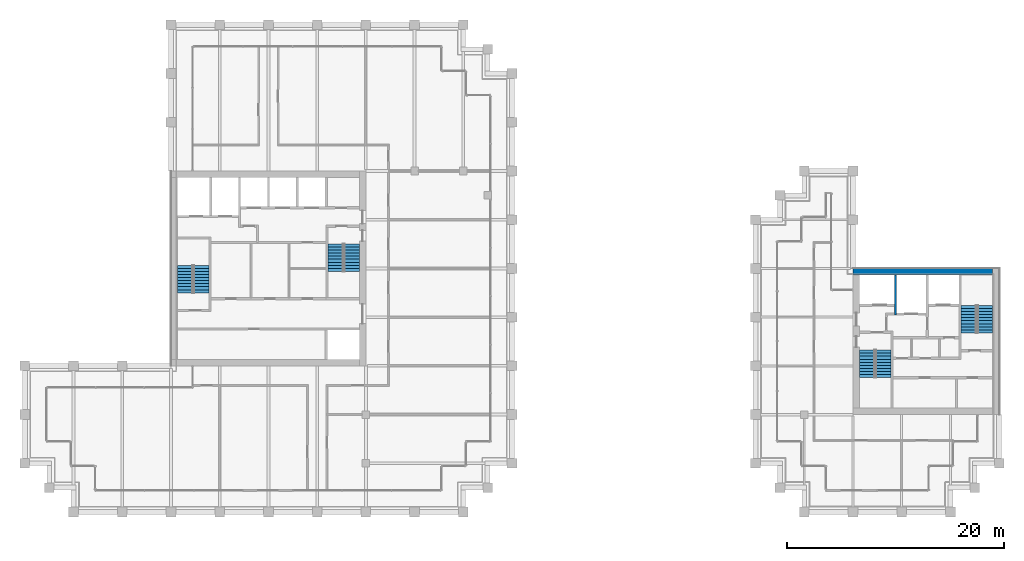
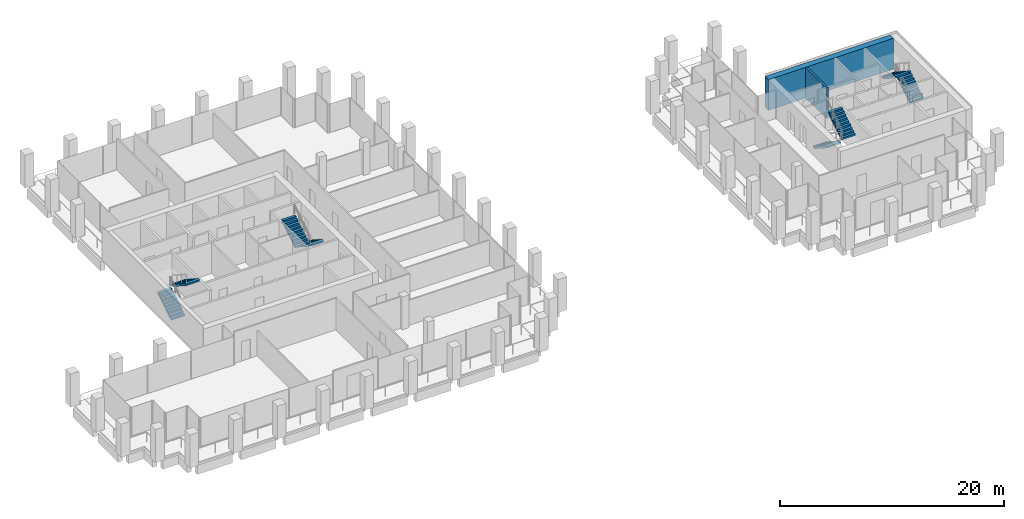
# One storey, part 39 of 40: 8 stair flights, 2 walls, 4 elements without a shape of their own.
"""IFC4 building model written with IfcOpenShell, lengths in metres."""

from ifc_helpers import new_model, si_unit, direction, frame, frame_2d, origin, place, context, subcontext, project, spatial, polyline, rectangle, outline, extrude, material, layer, layer_set, type_object, element, aggregate, save


model = new_model("IFC4")

# Units and contexts
model_context = context("Model", 3, precision=1e-05, world=origin(), true_north=direction((0.0, 1.0)))
body_context = subcontext(model_context, "Body", "Model", "MODEL_VIEW")
ifc_project = project(units=[si_unit("LENGTHUNIT", "METRE"), si_unit("AREAUNIT", "SQUARE_METRE"), si_unit("VOLUMEUNIT", "CUBIC_METRE"), si_unit("PLANEANGLEUNIT", "RADIAN"), si_unit("MASSUNIT", "GRAM", prefix="KILO")], contexts=[model_context])

# Site, building, storey
site_placement = place(None, origin())
site = spatial("IfcSite", under=ifc_project, at=site_placement, CompositionType="ELEMENT")
building_placement = place(site_placement, origin())
building = spatial("IfcBuilding", under=site, at=building_placement, Name="Altepetl Exchange Towers", CompositionType="ELEMENT")
storey_placement = place(building_placement, frame((0.0, 0.0, 147.39990234375)))
storey = spatial("IfcBuildingStorey", under=building, at=storey_placement, Name="L36", CompositionType="ELEMENT", Elevation=147.39990234375)

# Walls
ifc_material_1 = material(Name="Concrete C70/85", Category="concrete")
ifc_layer_1 = layer(ifc_material_1, 0.60009765625)
ifc_layer_set_1 = layer_set([ifc_layer_1], Name="Concrete C70/85")
wall_type_1 = type_object("IfcWallType", Name="Core wall 600 reinforced concrete external", PredefinedType="SHEAR", material=ifc_layer_set_1)
wall_1_placement = place(storey_placement, frame((103.5, 49.199951171875, 0.0)))
element("IfcWall", 1, at=wall_1_placement, inside=storey, type_object=wall_type_1, Name="wall:B:L36:K-coreN", PredefinedType="SHEAR", context=body_context, shape_type="SweptSolid", body=[
    extrude(rectangle(XDim=12.89990234375, YDim=0.60009765625, at=frame_2d((6.449951171875, 0.0))), origin(), (0.0, 0.0, 1.0), 3.35009765625),
])
ifc_material_2 = material(Name="Concrete C40/50", Category="concrete")
ifc_layer_2 = layer(ifc_material_2, 0.199951171875)
ifc_layer_set_2 = layer_set([ifc_layer_2], Name="Concrete C40/50")
wall_type_2 = type_object("IfcWallType", Name="Shaft wall 200 reinforced concrete", PredefinedType="SHEAR", material=ifc_layer_set_2)
wall_2_placement = place(storey_placement, frame((107.433349609375, 48.89990234375, 0.0), z_axis=(0.0, 0.0, 1.0), x_axis=(0.0, -1.0, 0.0)))
element("IfcWall", 2, at=wall_2_placement, inside=storey, type_object=wall_type_2, Name="wall:B:L36:K-divN1", PredefinedType="SHEAR", context=body_context, shape_type="SweptSolid", body=[
    extrude(rectangle(XDim=3.699951171875, YDim=0.199951171875, at=frame_2d((1.85009765625, 0.0))), origin(), (0.0, 0.0, 1.0), 3.35009765625),
])

# Stair, stair flights
stair_type = type_object("IfcStairType", Name="Exit stair 1400 flights dogleg", PredefinedType="HALF_TURN_STAIR", material=ifc_material_2)
stair_1_placement = place(storey_placement, origin())
stair_1 = element("IfcStair", 3, at=stair_1_placement, inside=storey, type_object=stair_type, Name="Exit stair 1", PredefinedType="HALF_TURN_STAIR")
stair_flight_type = type_object("IfcStairFlightType", Name="Stair flight 1400 wide", PredefinedType="STRAIGHT", material=ifc_material_2)
stair_flight_1_placement = place(storey_placement, frame((41.800048828125, 47.25, 0.0), z_axis=(0.0, 0.0, 1.0), x_axis=(0.0, 1.0, 0.0)))
stair_flight_1 = element("IfcStairFlight", 4, at=stair_flight_1_placement, type_object=stair_flight_type, Name="ST-A1e flight 1", NumberOfRisers=10, NumberOfTreads=9, PredefinedType="STRAIGHT", RiserHeight=0.18, TreadLength=0.28, context=body_context, shape_type="SweptSolid", body=[
    extrude(outline(polyline([(0.0, 0.0), (0.0, 0.179931640625), (0.280029296875, 0.179931640625), (0.280029296875, 0.360107421875), (0.56005859375, 0.360107421875), (0.56005859375, 0.5400390625), (0.840087890625, 0.5400390625), (0.840087890625, 0.719970703125), (1.1201171875, 0.719970703125), (1.1201171875, 0.89990234375), (1.39990234375, 0.89990234375), (1.39990234375, 1.080078125), (1.679931640625, 1.080078125), (1.679931640625, 1.260009765625), (1.9599609375, 1.260009765625), (1.9599609375, 1.43994140625), (2.239990234375, 1.43994140625), (2.239990234375, 1.6201171875), (2.52001953125, 1.6201171875), (2.52001953125, 1.800048828125), (2.52001953125, 1.44189453125), (0.277099609375, 0.0), (0.0, 0.0)])), frame((0.0, 0.699951171875, 0.0), z_axis=(0.0, -1.0, 0.0), x_axis=(1.0, 0.0, 0.0)), (0.0, 0.0, 1.0), 1.39990234375),
])
stair_flight_2_placement = place(storey_placement, frame((43.300048828125, 49.77001953125, 1.800048828125), z_axis=(0.0, 0.0, 1.0), x_axis=(0.0, -1.0, 0.0)))
stair_flight_2 = element("IfcStairFlight", 5, at=stair_flight_2_placement, type_object=stair_flight_type, Name="ST-A1e flight 2", NumberOfRisers=10, NumberOfTreads=9, PredefinedType="STRAIGHT", RiserHeight=0.18, TreadLength=0.28, context=body_context, shape_type="SweptSolid", body=[
    extrude(outline(polyline([(0.0, 0.0), (0.0, 0.179931640625), (0.280029296875, 0.179931640625), (0.280029296875, 0.360107421875), (0.56005859375, 0.360107421875), (0.56005859375, 0.5400390625), (0.840087890625, 0.5400390625), (0.840087890625, 0.719970703125), (1.1201171875, 0.719970703125), (1.1201171875, 0.89990234375), (1.39990234375, 0.89990234375), (1.39990234375, 1.080078125), (1.679931640625, 1.080078125), (1.679931640625, 1.260009765625), (1.9599609375, 1.260009765625), (1.9599609375, 1.43994140625), (2.239990234375, 1.43994140625), (2.239990234375, 1.6201171875), (2.52001953125, 1.6201171875), (2.52001953125, 1.800048828125), (2.52001953125, 1.44189453125), (0.277099609375, 0.0), (0.0, 0.0)])), frame((0.0, 0.699951171875, 0.0), z_axis=(0.0, -1.0, 0.0), x_axis=(1.0, 0.0, 0.0)), (0.0, 0.0, 1.0), 1.39990234375),
])
aggregate(stair_1, [stair_flight_1, stair_flight_2])

stair_2_placement = place(storey_placement, origin())
stair_2 = element("IfcStair", 6, at=stair_2_placement, inside=storey, type_object=stair_type, Name="Exit stair 2", PredefinedType="HALF_TURN_STAIR")
stair_flight_3_placement = place(storey_placement, frame((57.199951171875, 51.75, 0.0), z_axis=(0.0, 0.0, 1.0), x_axis=(0.0, -1.0, 0.0)))
stair_flight_3 = element("IfcStairFlight", 7, at=stair_flight_3_placement, type_object=stair_flight_type, Name="ST-A2e flight 1", NumberOfRisers=10, NumberOfTreads=9, PredefinedType="STRAIGHT", RiserHeight=0.18, TreadLength=0.28, context=body_context, shape_type="SweptSolid", body=[
    extrude(outline(polyline([(0.0, 0.0), (0.0, 0.179931640625), (0.280029296875, 0.179931640625), (0.280029296875, 0.360107421875), (0.56005859375, 0.360107421875), (0.56005859375, 0.5400390625), (0.840087890625, 0.5400390625), (0.840087890625, 0.719970703125), (1.1201171875, 0.719970703125), (1.1201171875, 0.89990234375), (1.39990234375, 0.89990234375), (1.39990234375, 1.080078125), (1.679931640625, 1.080078125), (1.679931640625, 1.260009765625), (1.9599609375, 1.260009765625), (1.9599609375, 1.43994140625), (2.239990234375, 1.43994140625), (2.239990234375, 1.6201171875), (2.52001953125, 1.6201171875), (2.52001953125, 1.800048828125), (2.52001953125, 1.44189453125), (0.277099609375, 0.0), (0.0, 0.0)])), frame((0.0, 0.699951171875, 0.0), z_axis=(0.0, -1.0, 0.0), x_axis=(1.0, 0.0, 0.0)), (0.0, 0.0, 1.0), 1.39990234375),
])
stair_flight_4_placement = place(storey_placement, frame((55.699951171875, 49.22998046875, 1.800048828125), z_axis=(0.0, 0.0, 1.0), x_axis=(0.0, 1.0, 0.0)))
stair_flight_4 = element("IfcStairFlight", 8, at=stair_flight_4_placement, type_object=stair_flight_type, Name="ST-A2e flight 2", NumberOfRisers=10, NumberOfTreads=9, PredefinedType="STRAIGHT", RiserHeight=0.18, TreadLength=0.28, context=body_context, shape_type="SweptSolid", body=[
    extrude(outline(polyline([(0.0, 0.0), (0.0, 0.179931640625), (0.280029296875, 0.179931640625), (0.280029296875, 0.360107421875), (0.56005859375, 0.360107421875), (0.56005859375, 0.5400390625), (0.840087890625, 0.5400390625), (0.840087890625, 0.719970703125), (1.1201171875, 0.719970703125), (1.1201171875, 0.89990234375), (1.39990234375, 0.89990234375), (1.39990234375, 1.080078125), (1.679931640625, 1.080078125), (1.679931640625, 1.260009765625), (1.9599609375, 1.260009765625), (1.9599609375, 1.43994140625), (2.239990234375, 1.43994140625), (2.239990234375, 1.6201171875), (2.52001953125, 1.6201171875), (2.52001953125, 1.800048828125), (2.52001953125, 1.44189453125), (0.277099609375, 0.0), (0.0, 0.0)])), frame((0.0, 0.699951171875, 0.0), z_axis=(0.0, -1.0, 0.0), x_axis=(1.0, 0.0, 0.0)), (0.0, 0.0, 1.0), 1.39990234375),
])
aggregate(stair_2, [stair_flight_3, stair_flight_4])

stair_3_placement = place(storey_placement, origin())
stair_3 = element("IfcStair", 9, at=stair_3_placement, inside=storey, type_object=stair_type, Name="Exit stair 1", PredefinedType="HALF_TURN_STAIR")
stair_flight_5_placement = place(storey_placement, frame((104.800048828125, 41.949951171875, 0.0), z_axis=(0.0, 0.0, 1.0), x_axis=(0.0, -1.0, 0.0)))
stair_flight_5 = element("IfcStairFlight", 10, at=stair_flight_5_placement, type_object=stair_flight_type, Name="ST-B1e flight 1", NumberOfRisers=10, NumberOfTreads=9, PredefinedType="STRAIGHT", RiserHeight=0.18, TreadLength=0.28, context=body_context, shape_type="SweptSolid", body=[
    extrude(outline(polyline([(0.0, 0.0), (0.0, 0.179931640625), (0.280029296875, 0.179931640625), (0.280029296875, 0.360107421875), (0.56005859375, 0.360107421875), (0.56005859375, 0.5400390625), (0.840087890625, 0.5400390625), (0.840087890625, 0.719970703125), (1.1201171875, 0.719970703125), (1.1201171875, 0.89990234375), (1.39990234375, 0.89990234375), (1.39990234375, 1.080078125), (1.679931640625, 1.080078125), (1.679931640625, 1.260009765625), (1.9599609375, 1.260009765625), (1.9599609375, 1.43994140625), (2.239990234375, 1.43994140625), (2.239990234375, 1.6201171875), (2.52001953125, 1.6201171875), (2.52001953125, 1.800048828125), (2.52001953125, 1.44189453125), (0.277099609375, 0.0), (0.0, 0.0)])), frame((0.0, 0.699951171875, 0.0), z_axis=(0.0, -1.0, 0.0), x_axis=(1.0, 0.0, 0.0)), (0.0, 0.0, 1.0), 1.39990234375),
])
stair_flight_6_placement = place(storey_placement, frame((106.300048828125, 39.429931640625, 1.800048828125), z_axis=(0.0, 0.0, 1.0), x_axis=(0.0, 1.0, 0.0)))
stair_flight_6 = element("IfcStairFlight", 11, at=stair_flight_6_placement, type_object=stair_flight_type, Name="ST-B1e flight 2", NumberOfRisers=10, NumberOfTreads=9, PredefinedType="STRAIGHT", RiserHeight=0.18, TreadLength=0.28, context=body_context, shape_type="SweptSolid", body=[
    extrude(outline(polyline([(0.0, 0.0), (0.0, 0.179931640625), (0.280029296875, 0.179931640625), (0.280029296875, 0.360107421875), (0.56005859375, 0.360107421875), (0.56005859375, 0.5400390625), (0.840087890625, 0.5400390625), (0.840087890625, 0.719970703125), (1.1201171875, 0.719970703125), (1.1201171875, 0.89990234375), (1.39990234375, 0.89990234375), (1.39990234375, 1.080078125), (1.679931640625, 1.080078125), (1.679931640625, 1.260009765625), (1.9599609375, 1.260009765625), (1.9599609375, 1.43994140625), (2.239990234375, 1.43994140625), (2.239990234375, 1.6201171875), (2.52001953125, 1.6201171875), (2.52001953125, 1.800048828125), (2.52001953125, 1.44189453125), (0.277099609375, 0.0), (0.0, 0.0)])), frame((0.0, 0.699951171875, 0.0), z_axis=(0.0, -1.0, 0.0), x_axis=(1.0, 0.0, 0.0)), (0.0, 0.0, 1.0), 1.39990234375),
])
aggregate(stair_3, [stair_flight_5, stair_flight_6])

stair_4_placement = place(storey_placement, origin())
stair_4 = element("IfcStair", 12, at=stair_4_placement, inside=storey, type_object=stair_type, Name="Exit stair 2", PredefinedType="HALF_TURN_STAIR")
stair_flight_7_placement = place(storey_placement, frame((115.699951171875, 43.550048828125, 0.0), z_axis=(0.0, 0.0, 1.0), x_axis=(0.0, 1.0, 0.0)))
stair_flight_7 = element("IfcStairFlight", 13, at=stair_flight_7_placement, type_object=stair_flight_type, Name="ST-B2e flight 1", NumberOfRisers=10, NumberOfTreads=9, PredefinedType="STRAIGHT", RiserHeight=0.18, TreadLength=0.28, context=body_context, shape_type="SweptSolid", body=[
    extrude(outline(polyline([(0.0, 0.0), (0.0, 0.179931640625), (0.280029296875, 0.179931640625), (0.280029296875, 0.360107421875), (0.56005859375, 0.360107421875), (0.56005859375, 0.5400390625), (0.840087890625, 0.5400390625), (0.840087890625, 0.719970703125), (1.1201171875, 0.719970703125), (1.1201171875, 0.89990234375), (1.39990234375, 0.89990234375), (1.39990234375, 1.080078125), (1.679931640625, 1.080078125), (1.679931640625, 1.260009765625), (1.9599609375, 1.260009765625), (1.9599609375, 1.43994140625), (2.239990234375, 1.43994140625), (2.239990234375, 1.6201171875), (2.52001953125, 1.6201171875), (2.52001953125, 1.800048828125), (2.52001953125, 1.44189453125), (0.277099609375, 0.0), (0.0, 0.0)])), frame((0.0, 0.699951171875, 0.0), z_axis=(0.0, -1.0, 0.0), x_axis=(1.0, 0.0, 0.0)), (0.0, 0.0, 1.0), 1.39990234375),
])
stair_flight_8_placement = place(storey_placement, frame((114.199951171875, 46.070068359375, 1.800048828125), z_axis=(0.0, 0.0, 1.0), x_axis=(0.0, -1.0, 0.0)))
stair_flight_8 = element("IfcStairFlight", 14, at=stair_flight_8_placement, type_object=stair_flight_type, Name="ST-B2e flight 2", NumberOfRisers=10, NumberOfTreads=9, PredefinedType="STRAIGHT", RiserHeight=0.18, TreadLength=0.28, context=body_context, shape_type="SweptSolid", body=[
    extrude(outline(polyline([(0.0, 0.0), (0.0, 0.179931640625), (0.280029296875, 0.179931640625), (0.280029296875, 0.360107421875), (0.56005859375, 0.360107421875), (0.56005859375, 0.5400390625), (0.840087890625, 0.5400390625), (0.840087890625, 0.719970703125), (1.1201171875, 0.719970703125), (1.1201171875, 0.89990234375), (1.39990234375, 0.89990234375), (1.39990234375, 1.080078125), (1.679931640625, 1.080078125), (1.679931640625, 1.260009765625), (1.9599609375, 1.260009765625), (1.9599609375, 1.43994140625), (2.239990234375, 1.43994140625), (2.239990234375, 1.6201171875), (2.52001953125, 1.6201171875), (2.52001953125, 1.800048828125), (2.52001953125, 1.44189453125), (0.277099609375, 0.0), (0.0, 0.0)])), frame((0.0, 0.699951171875, 0.0), z_axis=(0.0, -1.0, 0.0), x_axis=(1.0, 0.0, 0.0)), (0.0, 0.0, 1.0), 1.39990234375),
])
aggregate(stair_4, [stair_flight_7, stair_flight_8])

save(model, "model.ifc")
